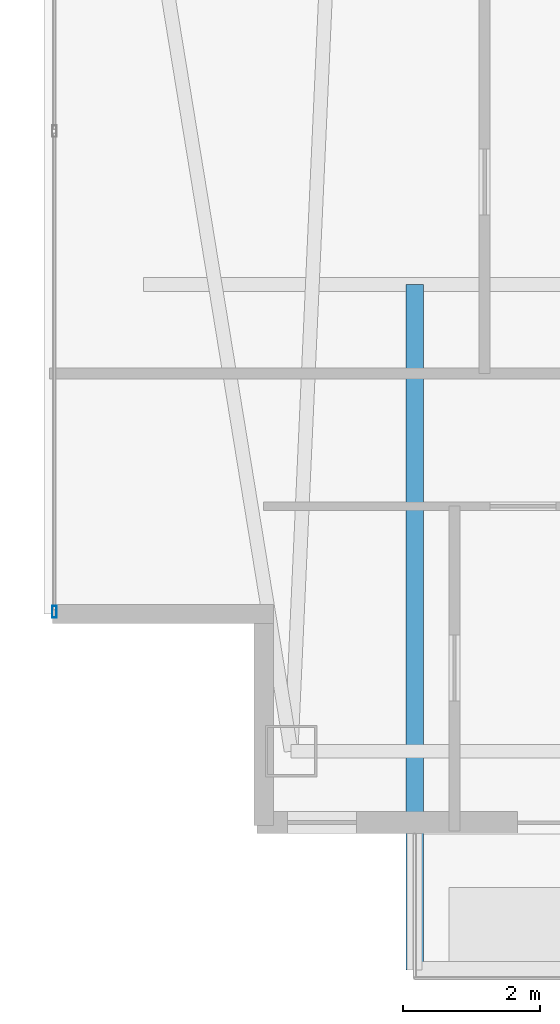
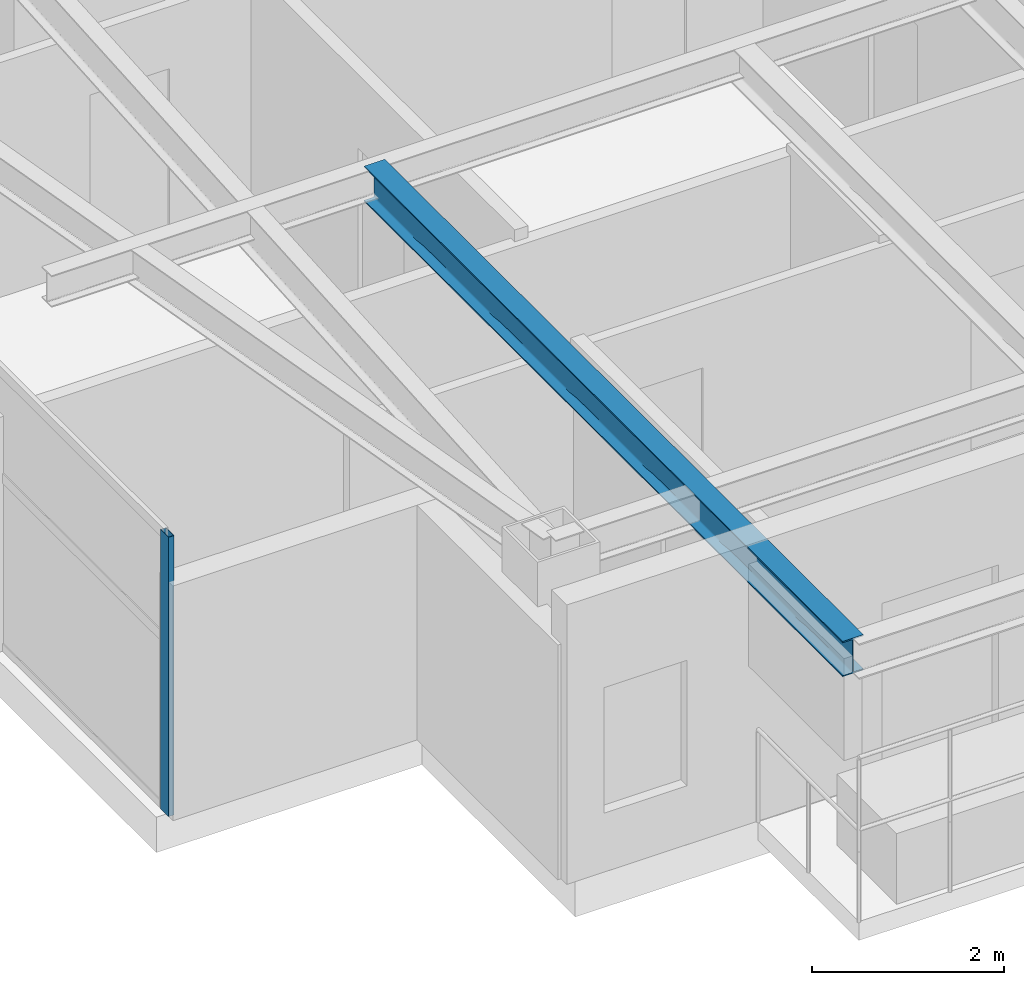
# One storey, part 2 of 28: 1 beam, 1 member, 1 element without a shape of its own.
"""IFC4 building model written with IfcOpenShell, lengths in metres."""

from ifc_helpers import new_model, si_unit, direction, frame, origin, origin_2d, place, context, subcontext, project, spatial, hollow_rectangle, i_section, extrude, material, layer, layer_set, material_profile, profile_set, type_object, element, aggregate, save


model = new_model("IFC4")

# Units and contexts
model_context = context("Model", 3, precision=1e-05, world=origin(), true_north=direction((0.0, 1.0)))
body_context = subcontext(model_context, "Body", "Model", "MODEL_VIEW")
ifc_project = project(units=[si_unit("LENGTHUNIT", "METRE"), si_unit("AREAUNIT", "SQUARE_METRE"), si_unit("VOLUMEUNIT", "CUBIC_METRE"), si_unit("PLANEANGLEUNIT", "RADIAN"), si_unit("MASSUNIT", "GRAM", prefix="KILO")], contexts=[model_context])

# Site, building, storey
site_placement = place(None, origin())
site = spatial("IfcSite", under=ifc_project, at=site_placement, CompositionType="ELEMENT")
building_placement = place(site_placement, origin())
building = spatial("IfcBuilding", under=site, at=building_placement, Name="Calvorn Quay Hotel", CompositionType="ELEMENT")
storey_placement = place(building_placement, frame((0.0, 0.0, 263.5)))
storey = spatial("IfcBuildingStorey", under=building, at=storey_placement, Name="L65", CompositionType="ELEMENT", Elevation=263.5)

# Beam
ifc_material_1 = material(Name="Steel Q355B", Category="steel")
ifc_material_profile_1 = material_profile(ifc_material_1, i_section(OverallWidth=0.25, OverallDepth=0.449951171875, WebThickness=0.011962890625, FlangeThickness=0.01611328125, FilletRadius=0.01611328125, at=origin_2d()), Name="HN450x250x12x16")
ifc_profile_set_1 = profile_set([ifc_material_profile_1], Name="Steel Q355B")
beam_type = type_object("IfcBeamType", Name="BM-CANT-BALC", PredefinedType="BEAM", material=ifc_profile_set_1)
beam_placement = place(storey_placement, frame((5.39990234375, 10.39990234375, 3.31494140625), z_axis=(0.0, -1.0, 0.0), x_axis=(1.0, 0.0, 0.0)))
element("IfcBeam", 1, at=beam_placement, inside=storey, type_object=beam_type, Name="Cantilever Balcony Beam BCB-L66-2A", PredefinedType="BEAM", context=body_context, shape_type="SweptSolid", body=[
    extrude(i_section(OverallWidth=0.25, OverallDepth=0.449951171875, WebThickness=0.011962890625, FlangeThickness=0.01611328125, FilletRadius=0.01611328125, at=origin_2d()), origin(), (0.0, 0.0, 1.0), 9.989990234375),
])

# Curtain wall, member
ifc_material_2 = material(Name="Champagne Bronze Anodised Aluminium and Low-E Glass", Category="aluminium")
ifc_layer = layer(ifc_material_2, 0.219970703125)
ifc_layer_set = layer_set([ifc_layer], Name="CW-SYS-Z4")
curtain_wall_type = type_object("IfcCurtainWallType", Name="CW-SYS-Z4", PredefinedType="NOTDEFINED", material=ifc_layer_set)
curtain_wall_placement = place(storey_placement, origin())
curtain_wall = element("IfcCurtainWall", 2, at=curtain_wall_placement, inside=storey, type_object=curtain_wall_type, Name="Tower West Curtain Wall (L65)", PredefinedType="NOTDEFINED")
ifc_material_3 = material(Name="Champagne Bronze Anodised Aluminium 6063-T6", Category="aluminium")
ifc_material_profile_2 = material_profile(ifc_material_3, hollow_rectangle(XDim=0.06494140625, YDim=0.169921875, WallThickness=0.00341796875, at=origin_2d()), Name="ALU-M170x65x3.5")
ifc_profile_set_2 = profile_set([ifc_material_profile_2], Name="Champagne Bronze Anodised Aluminium 6063-T6")
member_type = type_object("IfcMemberType", Name="CW-SYS-Z4-MUL", PredefinedType="MULLION", material=ifc_profile_set_2)
member_placement = place(storey_placement, frame((0.14990234375, 5.6298828125, 0.0), z_axis=(0.0, 0.0, 1.0), x_axis=(-1.0, 0.0, 0.0)))
member = element("IfcMember", 3, at=member_placement, type_object=member_type, Name="CW-L65-W mullion 1", PredefinedType="MULLION", context=body_context, shape_type="SweptSolid", body=[
    extrude(hollow_rectangle(XDim=0.06494140625, YDim=0.169921875, WallThickness=0.00341796875, at=origin_2d()), origin(), (0.0, 0.0, 1.0), 3.56005859375),
])
aggregate(curtain_wall, [member])

save(model, "model.ifc")
